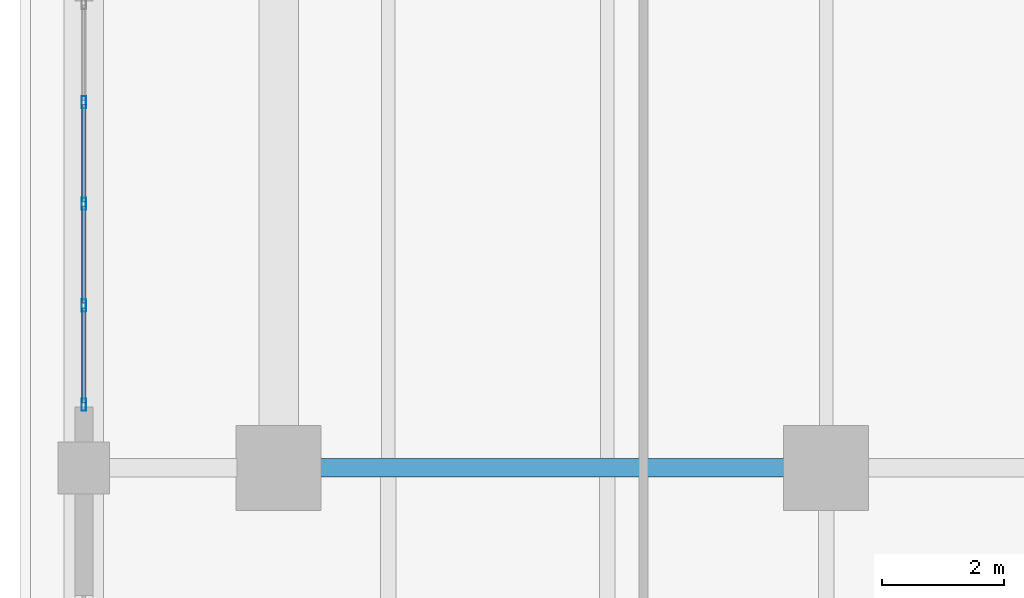
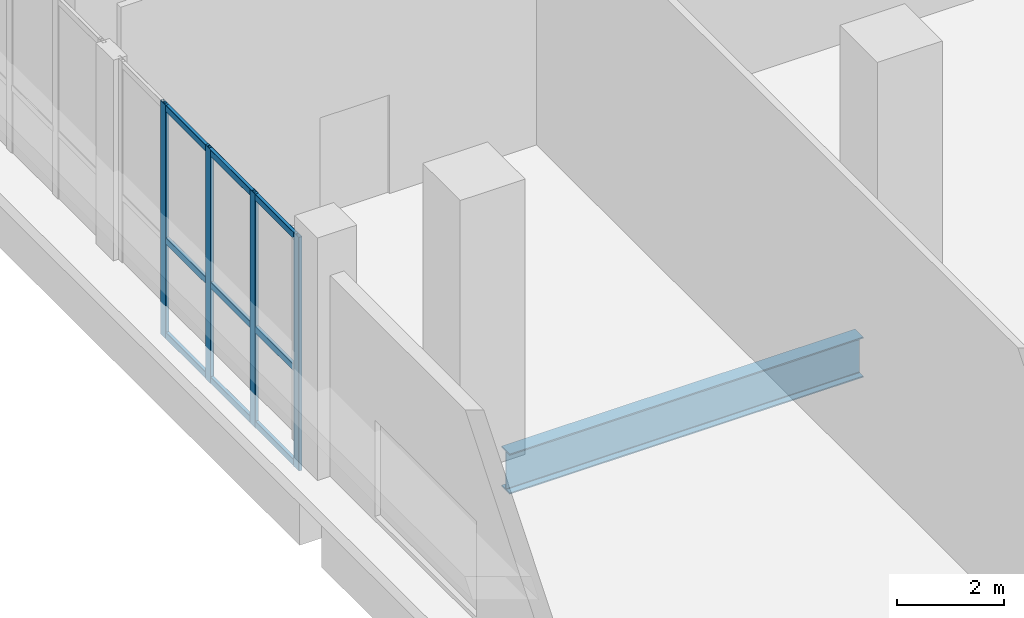
# One storey, part 7 of 29: 13 members, 1 beam, 1 element without a shape of its own.
"""IFC4 building model written with IfcOpenShell, lengths in metres."""

from ifc_helpers import new_model, si_unit, direction, frame, origin, origin_2d, place, context, subcontext, project, spatial, hollow_rectangle, i_section, extrude, material, layer, layer_set, material_profile, profile_set, type_object, element, aggregate, save


model = new_model("IFC4")

# Units and contexts
model_context = context("Model", 3, precision=1e-05, world=origin(), true_north=direction((0.0, 1.0)))
body_context = subcontext(model_context, "Body", "Model", "MODEL_VIEW")
ifc_project = project(units=[si_unit("LENGTHUNIT", "METRE"), si_unit("AREAUNIT", "SQUARE_METRE"), si_unit("VOLUMEUNIT", "CUBIC_METRE"), si_unit("PLANEANGLEUNIT", "RADIAN"), si_unit("MASSUNIT", "GRAM", prefix="KILO")], contexts=[model_context])

# Site, building, storey
site_placement = place(None, origin())
site = spatial("IfcSite", under=ifc_project, at=site_placement, CompositionType="ELEMENT")
building_placement = place(site_placement, origin())
building = spatial("IfcBuilding", under=site, at=building_placement, Name="Kaelvorn Grand Hotel", CompositionType="ELEMENT")
storey_placement = place(building_placement, frame((0.0, 0.0, 19.39990234375)))
storey = spatial("IfcBuildingStorey", under=building, at=storey_placement, Name="L03", CompositionType="ELEMENT", Elevation=19.39990234375)

# Beam
ifc_material_1 = material(Name="Steel S355", Category="steel")
ifc_material_profile_1 = material_profile(ifc_material_1, i_section(OverallWidth=0.305419921875, OverallDepth=0.91845703125, WebThickness=0.017333984375, FlangeThickness=0.02783203125, FilletRadius=0.01904296875, at=origin_2d()), Name="UB 914x305x253")
ifc_profile_set_1 = profile_set([ifc_material_profile_1], Name="Steel S355")
beam_type = type_object("IfcBeamType", Name="BM-G-UB914-S355", PredefinedType="BEAM", material=ifc_profile_set_1)
beam_placement = place(storey_placement, frame((0.68505859375, 15.0, -0.779052734375), z_axis=(1.0, 0.0, 0.0), x_axis=(0.0, 1.0, 0.0)))
element("IfcBeam", 1, at=beam_placement, inside=storey, type_object=beam_type, Name="L03 Primary Spine Steel Girder G-15 02", PredefinedType="BEAM", context=body_context, shape_type="SweptSolid", body=[
    extrude(i_section(OverallWidth=0.305419921875, OverallDepth=0.91845703125, WebThickness=0.017333984375, FlangeThickness=0.02783203125, FilletRadius=0.01904296875, at=origin_2d()), origin(), (0.0, 0.0, 1.0), 7.6298828125),
])

# Curtain wall, members
ifc_material_2 = material(Name="Anodised Aluminium", Category="aluminium")
ifc_layer = layer(ifc_material_2, 0.199951171875)
ifc_layer_set = layer_set([ifc_layer], Name="Anodised Aluminium")
curtain_wall_type = type_object("IfcCurtainWallType", Name="CW-SYS2", PredefinedType="NOTDEFINED", material=ifc_layer_set)
curtain_wall_placement = place(storey_placement, origin())
curtain_wall = element("IfcCurtainWall", 2, at=curtain_wall_placement, inside=storey, type_object=curtain_wall_type, Name="L03 Unitised Curtain Wall CW2 (CW-L03-W-01)", PredefinedType="NOTDEFINED")
ifc_material_profile_2 = material_profile(ifc_material_2, hollow_rectangle(XDim=0.074951171875, YDim=0.199951171875, WallThickness=0.00390625, InnerFilletRadius=0.00390625, OuterFilletRadius=0.008056640625, at=origin_2d()), Name="ALU MULL 75x200")
ifc_profile_set_2 = profile_set([ifc_material_profile_2], Name="Anodised Aluminium")
member_type_1 = type_object("IfcMemberType", Name="CW-SYS2-MULL", PredefinedType="MULLION", material=ifc_profile_set_2)
member_1_placement = place(storey_placement, frame((-3.199951171875, 21.010009765625, 0.0), z_axis=(0.0, 0.0, 1.0), x_axis=(1.0, 0.0, 0.0)))
member_1 = element("IfcMember", 3, at=member_1_placement, type_object=member_type_1, Name="CW2 mullion 2", PredefinedType="MULLION", context=body_context, shape_type="SweptSolid", body=[
    extrude(hollow_rectangle(XDim=0.074951171875, YDim=0.199951171875, WallThickness=0.00390625, InnerFilletRadius=0.00390625, OuterFilletRadius=0.008056640625, at=origin_2d()), origin(), (0.0, 0.0, 1.0), 5.330078125),
])
member_2_placement = place(storey_placement, frame((-3.199951171875, 19.340087890625, 0.0), z_axis=(0.0, 0.0, 1.0), x_axis=(1.0, 0.0, 0.0)))
member_2 = element("IfcMember", 4, at=member_2_placement, type_object=member_type_1, Name="CW2 mullion 3", PredefinedType="MULLION", context=body_context, shape_type="SweptSolid", body=[
    extrude(hollow_rectangle(XDim=0.074951171875, YDim=0.199951171875, WallThickness=0.00390625, InnerFilletRadius=0.00390625, OuterFilletRadius=0.008056640625, at=origin_2d()), origin(), (0.0, 0.0, 1.0), 5.330078125),
])
member_3_placement = place(storey_placement, frame((-3.199951171875, 17.669921875, 0.0), z_axis=(0.0, 0.0, 1.0), x_axis=(1.0, 0.0, 0.0)))
member_3 = element("IfcMember", 5, at=member_3_placement, type_object=member_type_1, Name="CW2 mullion 4", PredefinedType="MULLION", context=body_context, shape_type="SweptSolid", body=[
    extrude(hollow_rectangle(XDim=0.074951171875, YDim=0.199951171875, WallThickness=0.00390625, InnerFilletRadius=0.00390625, OuterFilletRadius=0.008056640625, at=origin_2d()), origin(), (0.0, 0.0, 1.0), 5.330078125),
])
member_4_placement = place(storey_placement, frame((-3.199951171875, 16.03759765625, 0.0), z_axis=(0.0, 0.0, 1.0), x_axis=(1.0, 0.0, 0.0)))
member_4 = element("IfcMember", 6, at=member_4_placement, type_object=member_type_1, Name="CW2 mullion 5", PredefinedType="MULLION", context=body_context, shape_type="SweptSolid", body=[
    extrude(hollow_rectangle(XDim=0.074951171875, YDim=0.199951171875, WallThickness=0.00390625, InnerFilletRadius=0.00390625, OuterFilletRadius=0.008056640625, at=origin_2d()), origin(), (0.0, 0.0, 1.0), 5.330078125),
])
ifc_material_profile_3 = material_profile(ifc_material_2, hollow_rectangle(XDim=0.074951171875, YDim=0.14990234375, WallThickness=0.00390625, InnerFilletRadius=0.00390625, OuterFilletRadius=0.008056640625, at=origin_2d()), Name="ALU TRAN 75x150")
ifc_profile_set_3 = profile_set([ifc_material_profile_3], Name="Anodised Aluminium")
member_type_2 = type_object("IfcMemberType", Name="CW-SYS2-TRAN", PredefinedType="NOTDEFINED", material=ifc_profile_set_3)
member_5_placement = place(storey_placement, frame((-3.199951171875, 20.972412109375, 0.0751953125), z_axis=(0.0, -1.0, 0.0), x_axis=(1.0, 0.0, 0.0)))
member_5 = element("IfcMember", 7, at=member_5_placement, type_object=member_type_2, Name="CW2 transom 2.1", ObjectType="TRANSOM", PredefinedType="USERDEFINED", context=body_context, shape_type="SweptSolid", body=[
    extrude(hollow_rectangle(XDim=0.074951171875, YDim=0.14990234375, WallThickness=0.00390625, InnerFilletRadius=0.00390625, OuterFilletRadius=0.008056640625, at=origin_2d()), origin(), (0.0, 0.0, 1.0), 1.594970703125),
])
member_6_placement = place(storey_placement, frame((-3.199951171875, 20.972412109375, 2.23876953125), z_axis=(0.0, -1.0, 0.0), x_axis=(1.0, 0.0, 0.0)))
member_6 = element("IfcMember", 8, at=member_6_placement, type_object=member_type_2, Name="CW2 transom 2.2", ObjectType="TRANSOM", PredefinedType="USERDEFINED", context=body_context, shape_type="SweptSolid", body=[
    extrude(hollow_rectangle(XDim=0.074951171875, YDim=0.14990234375, WallThickness=0.00390625, InnerFilletRadius=0.00390625, OuterFilletRadius=0.008056640625, at=origin_2d()), origin(), (0.0, 0.0, 1.0), 1.594970703125),
])
member_7_placement = place(storey_placement, frame((-3.199951171875, 20.972412109375, 5.255126953125), z_axis=(0.0, -1.0, 0.0), x_axis=(1.0, 0.0, 0.0)))
member_7 = element("IfcMember", 9, at=member_7_placement, type_object=member_type_2, Name="CW2 transom 2.3", ObjectType="TRANSOM", PredefinedType="USERDEFINED", context=body_context, shape_type="SweptSolid", body=[
    extrude(hollow_rectangle(XDim=0.074951171875, YDim=0.14990234375, WallThickness=0.00390625, InnerFilletRadius=0.00390625, OuterFilletRadius=0.008056640625, at=origin_2d()), origin(), (0.0, 0.0, 1.0), 1.594970703125),
])
member_8_placement = place(storey_placement, frame((-3.199951171875, 19.302490234375, 0.0751953125), z_axis=(0.0, -1.0, 0.0), x_axis=(1.0, 0.0, 0.0)))
member_8 = element("IfcMember", 10, at=member_8_placement, type_object=member_type_2, Name="CW2 transom 3.1", ObjectType="TRANSOM", PredefinedType="USERDEFINED", context=body_context, shape_type="SweptSolid", body=[
    extrude(hollow_rectangle(XDim=0.074951171875, YDim=0.14990234375, WallThickness=0.00390625, InnerFilletRadius=0.00390625, OuterFilletRadius=0.008056640625, at=origin_2d()), origin(), (0.0, 0.0, 1.0), 1.594970703125),
])
member_9_placement = place(storey_placement, frame((-3.199951171875, 19.302490234375, 2.23876953125), z_axis=(0.0, -1.0, 0.0), x_axis=(1.0, 0.0, 0.0)))
member_9 = element("IfcMember", 11, at=member_9_placement, type_object=member_type_2, Name="CW2 transom 3.2", ObjectType="TRANSOM", PredefinedType="USERDEFINED", context=body_context, shape_type="SweptSolid", body=[
    extrude(hollow_rectangle(XDim=0.074951171875, YDim=0.14990234375, WallThickness=0.00390625, InnerFilletRadius=0.00390625, OuterFilletRadius=0.008056640625, at=origin_2d()), origin(), (0.0, 0.0, 1.0), 1.594970703125),
])
member_10_placement = place(storey_placement, frame((-3.199951171875, 19.302490234375, 5.255126953125), z_axis=(0.0, -1.0, 0.0), x_axis=(1.0, 0.0, 0.0)))
member_10 = element("IfcMember", 12, at=member_10_placement, type_object=member_type_2, Name="CW2 transom 3.3", ObjectType="TRANSOM", PredefinedType="USERDEFINED", context=body_context, shape_type="SweptSolid", body=[
    extrude(hollow_rectangle(XDim=0.074951171875, YDim=0.14990234375, WallThickness=0.00390625, InnerFilletRadius=0.00390625, OuterFilletRadius=0.008056640625, at=origin_2d()), origin(), (0.0, 0.0, 1.0), 1.594970703125),
])
member_11_placement = place(storey_placement, frame((-3.199951171875, 17.632568359375, 0.0751953125), z_axis=(0.0, -1.0, 0.0), x_axis=(1.0, 0.0, 0.0)))
member_11 = element("IfcMember", 13, at=member_11_placement, type_object=member_type_2, Name="CW2 transom 4.1", ObjectType="TRANSOM", PredefinedType="USERDEFINED", context=body_context, shape_type="SweptSolid", body=[
    extrude(hollow_rectangle(XDim=0.074951171875, YDim=0.14990234375, WallThickness=0.00390625, InnerFilletRadius=0.00390625, OuterFilletRadius=0.008056640625, at=origin_2d()), origin(), (0.0, 0.0, 1.0), 1.5576171875),
])
member_12_placement = place(storey_placement, frame((-3.199951171875, 17.632568359375, 2.23876953125), z_axis=(0.0, -1.0, 0.0), x_axis=(1.0, 0.0, 0.0)))
member_12 = element("IfcMember", 14, at=member_12_placement, type_object=member_type_2, Name="CW2 transom 4.2", ObjectType="TRANSOM", PredefinedType="USERDEFINED", context=body_context, shape_type="SweptSolid", body=[
    extrude(hollow_rectangle(XDim=0.074951171875, YDim=0.14990234375, WallThickness=0.00390625, InnerFilletRadius=0.00390625, OuterFilletRadius=0.008056640625, at=origin_2d()), origin(), (0.0, 0.0, 1.0), 1.5576171875),
])
member_13_placement = place(storey_placement, frame((-3.199951171875, 17.632568359375, 5.255126953125), z_axis=(0.0, -1.0, 0.0), x_axis=(1.0, 0.0, 0.0)))
member_13 = element("IfcMember", 15, at=member_13_placement, type_object=member_type_2, Name="CW2 transom 4.3", ObjectType="TRANSOM", PredefinedType="USERDEFINED", context=body_context, shape_type="SweptSolid", body=[
    extrude(hollow_rectangle(XDim=0.074951171875, YDim=0.14990234375, WallThickness=0.00390625, InnerFilletRadius=0.00390625, OuterFilletRadius=0.008056640625, at=origin_2d()), origin(), (0.0, 0.0, 1.0), 1.5576171875),
])
aggregate(curtain_wall, [member_1, member_2, member_3, member_4, member_5, member_6, member_7, member_8, member_9, member_10, member_11, member_12, member_13])

save(model, "model.ifc")
